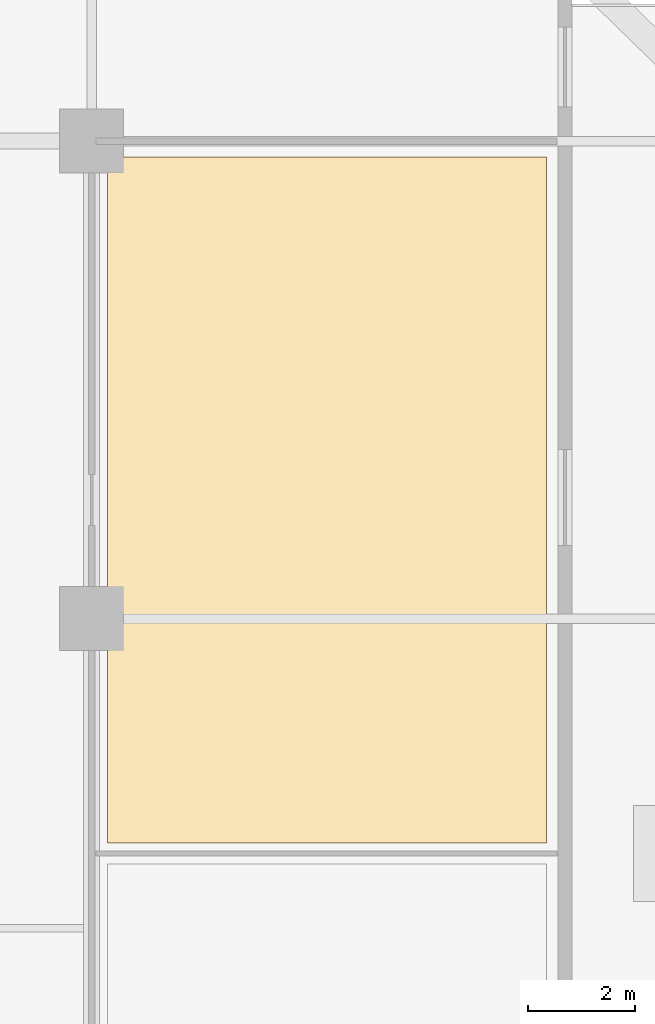
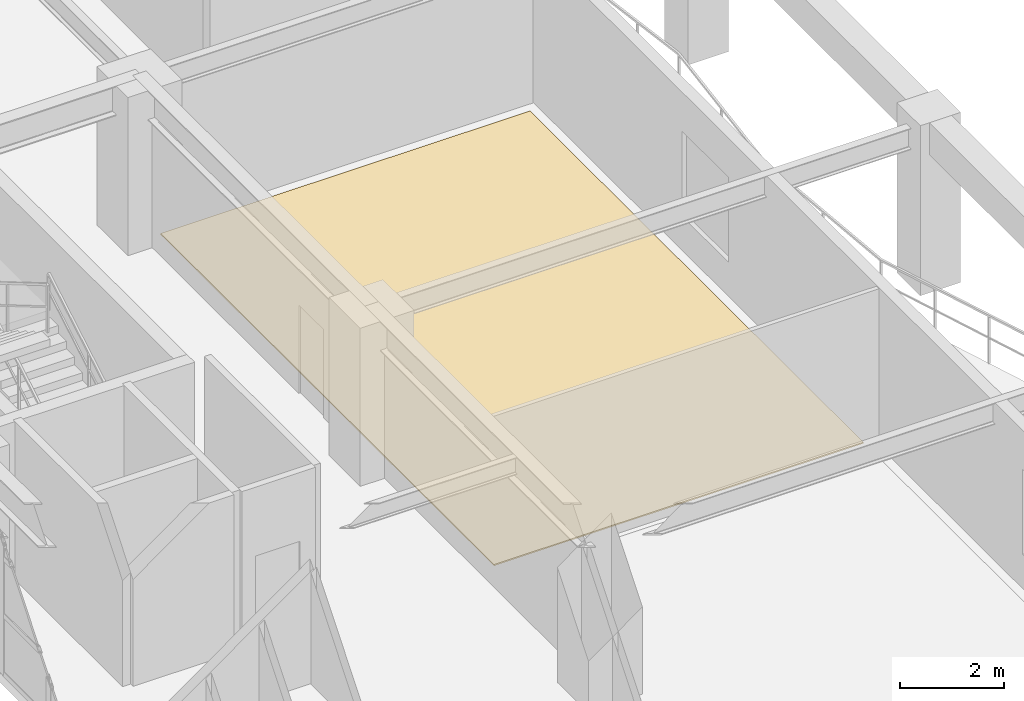
# One storey, part 16 of 17: 1 covering.
"""IFC4 building model written with IfcOpenShell, lengths in metres."""

from ifc_helpers import new_model, si_unit, direction, frame, origin, place, context, subcontext, project, spatial, polyline, outline, extrude, material, layer, layer_set, type_object, element, save


model = new_model("IFC4")

# Units and contexts
model_context = context("Model", 3, precision=1e-05, world=origin(), true_north=direction((0.0, 1.0)))
body_context = subcontext(model_context, "Body", "Model", "MODEL_VIEW")
ifc_project = project(units=[si_unit("LENGTHUNIT", "METRE"), si_unit("AREAUNIT", "SQUARE_METRE"), si_unit("VOLUMEUNIT", "CUBIC_METRE"), si_unit("PLANEANGLEUNIT", "RADIAN"), si_unit("MASSUNIT", "GRAM", prefix="KILO")], contexts=[model_context])

# Site, building, storey
site_placement = place(None, origin())
site = spatial("IfcSite", under=ifc_project, at=site_placement, CompositionType="ELEMENT")
building_placement = place(site_placement, origin())
building = spatial("IfcBuilding", under=site, at=building_placement, Name="Kundavana Baori Tower", CompositionType="ELEMENT")
storey_placement = place(building_placement, frame((0.0, 0.0, 26.0)))
storey = spatial("IfcBuildingStorey", under=building, at=storey_placement, Name="L05", CompositionType="ELEMENT", Elevation=26.0)

# Covering
ifc_material = material(Name="Honed Kota Stone and Terrazzo Flooring", Category="masonry")
ifc_layer = layer(ifc_material, 0.030029296875, Name="COV-INT-FLR")
ifc_layer_set = layer_set([ifc_layer], Name="Honed Kota Stone and Terrazzo Flooring")
covering_type = type_object("IfcCoveringType", Name="COV-INT-FLR", PredefinedType="FLOORING", material=ifc_layer_set)
covering_placement = place(storey_placement, origin())
element("IfcCovering", 1, at=covering_placement, inside=storey, type_object=covering_type, Name="L05 Room Finished Stone Flooring 4", PredefinedType="FLOORING", context=body_context, shape_type="SweptSolid", body=[
    extrude(outline(polyline([(43.10009765625, 28.800048828125), (51.320068359375, 28.800048828125), (51.320068359375, 41.64990234375), (43.10009765625, 41.64990234375), (43.10009765625, 28.800048828125)])), origin(), (0.0, 0.0, 1.0), 0.030029296875),
])

save(model, "model.ifc")
